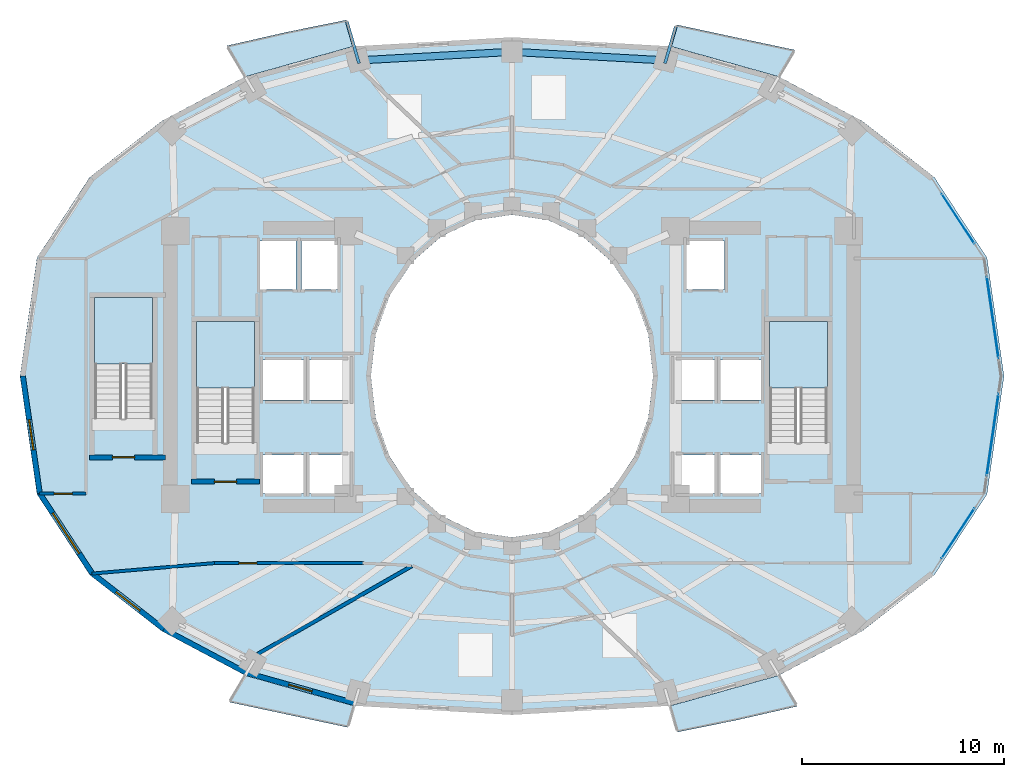
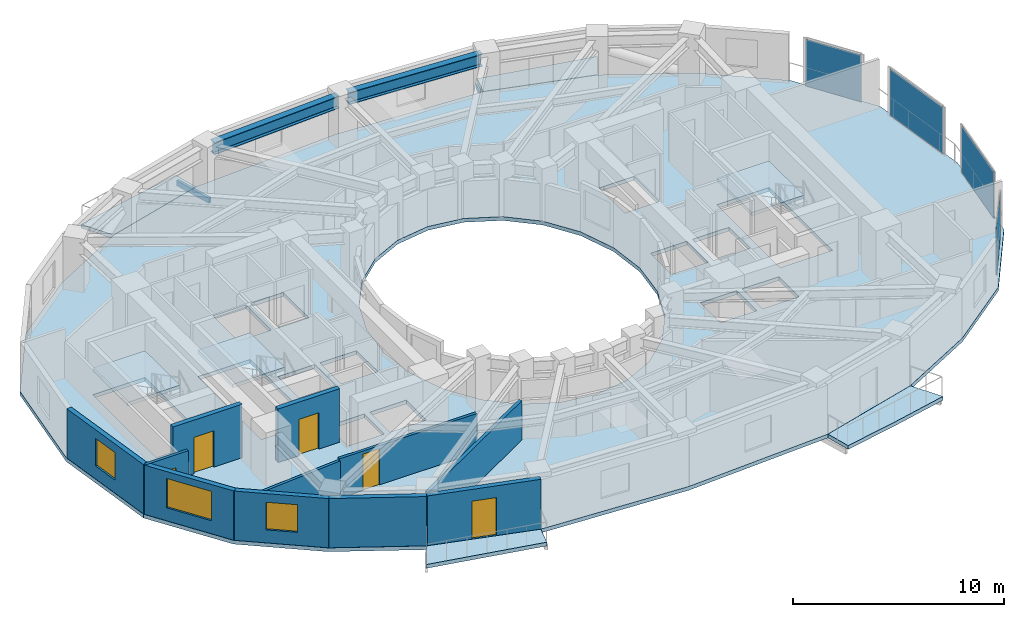
# One storey, part 6 of 14: 11 walls, 8 slabs, 5 doors, 4 beams, 4 plates, 3 windows, 8 openings, 7 elements without a shape of their own.
"""IFC4 building model written with IfcOpenShell, lengths in metres."""

import ifcopenshell
import ifcopenshell.guid

model = None  # the IFC model being written
_history = None  # IfcOwnerHistory: only IFC2X3 demands one
_inside = {}  # id of a spatial element -> (the spatial element, [elements in it])
_under = {}  # id of a project, library or spatial element -> (it, [spatial elements below it])
_declared = {}  # id of a project -> (the project, [libraries it declares])
_typed = {}  # id of a type object -> (the type object, [elements of that type])
_made_of = {}  # id of a material, layer set ... -> (it, [elements and type objects made of it])


def new_model(schema):
    """Start an empty IFC model of exactly this schema.

    Asked for "IFC4X3", IfcOpenShell would pick the latest addendum, in which some entities
    have other attributes; the version numbers below select the first issue.
    IFC2X3 requires an IfcOwnerHistory on every rooted entity: one is made here for all.
    """
    global model, _history
    if schema == "IFC4X3":
        model = ifcopenshell.file(schema_version=(4, 3, 0, 0))
    else:
        model = ifcopenshell.file(schema=schema)
    _inside.clear()
    _under.clear()
    _declared.clear()
    _typed.clear()
    _made_of.clear()
    _history = None
    if model.schema == "IFC2X3":
        org = make("IfcOrganization", Name="unknown")
        user = make(
            "IfcPersonAndOrganization",
            ThePerson=make("IfcPerson", FamilyName="unknown"),
            TheOrganization=org,
        )
        app = make(
            "IfcApplication",
            ApplicationDeveloper=org,
            Version="unknown",
            ApplicationFullName="unknown",
            ApplicationIdentifier="unknown",
        )
        _history = make(
            "IfcOwnerHistory",
            OwningUser=user,
            OwningApplication=app,
            ChangeAction="ADDED",
            CreationDate=0,
        )
    return model


def make(cls, **values):
    """One entity of the class cls with the attributes given. An attribute that is None is left unset."""
    return model.create_entity(
        cls, **{name: value for name, value in values.items() if value is not None}
    )


def rooted(cls, **values):
    """An entity with a GlobalId (a new one), such as an element, a storey or a relation."""
    return make(cls, GlobalId=ifcopenshell.guid.new(), OwnerHistory=_history, **values)


def si_unit(unit_type, name, prefix=None):
    """IfcSIUnit, for example si_unit("LENGTHUNIT", "METRE", prefix="MILLI")."""
    return make("IfcSIUnit", UnitType=unit_type, Prefix=prefix, Name=name)


def assignment(units):
    """IfcUnitAssignment: the units of a project."""
    return None if units is None else make("IfcUnitAssignment", Units=units)


def point(xyz):
    """IfcCartesianPoint."""
    return None if xyz is None else make("IfcCartesianPoint", Coordinates=xyz)


def direction(xyz):
    """IfcDirection."""
    return None if xyz is None else make("IfcDirection", DirectionRatios=xyz)


def frame(location, z_axis=None, x_axis=None):
    """IfcAxis2Placement3D, a coordinate frame: its origin and axes. An axis left out is left unset."""
    return make(
        "IfcAxis2Placement3D",
        Location=point(location),
        Axis=direction(z_axis),
        RefDirection=direction(x_axis),
    )


def frame_2d(location, x_axis=None):
    """IfcAxis2Placement2D, a coordinate frame in the plane: its origin and x axis."""
    return make(
        "IfcAxis2Placement2D", Location=point(location), RefDirection=direction(x_axis)
    )


def origin():
    """The frame at (0, 0, 0) with its axes left unset."""
    return frame((0.0, 0.0, 0.0))


def origin_2d():
    """The frame at (0, 0) in the plane with its x axis left unset."""
    return frame_2d((0.0, 0.0))


def place(relative_to, where):
    """IfcLocalPlacement: puts the frame where relative to a parent placement (None: the world)."""
    return make(
        "IfcLocalPlacement", PlacementRelTo=relative_to, RelativePlacement=where
    )


def context(
    kind, dimensions, precision=None, world=None, true_north=None, identifier=None
):
    """IfcGeometricRepresentationContext, for example the 3D "Model" context."""
    return make(
        "IfcGeometricRepresentationContext",
        ContextIdentifier=identifier,
        ContextType=kind,
        CoordinateSpaceDimension=dimensions,
        Precision=precision,
        WorldCoordinateSystem=world,
        TrueNorth=true_north,
    )


def subcontext(parent, identifier, kind, view, scale=None):
    """IfcGeometricRepresentationSubContext, for example "Body" below "Model"."""
    return make(
        "IfcGeometricRepresentationSubContext",
        ContextIdentifier=identifier,
        ContextType=kind,
        ParentContext=parent,
        TargetScale=scale,
        TargetView=view,
    )


def project(units=None, contexts=None):
    """IfcProject with its units and contexts."""
    return rooted(
        "IfcProject",
        Name="project",
        RepresentationContexts=contexts,
        UnitsInContext=assignment(units),
    )


def spatial(cls, under=None, at=None, **own):
    """A site, building, storey or space (cls), placed at a placement, below another one or the project."""
    s = rooted(cls, ObjectPlacement=at, **own)
    if under is not None:
        _under.setdefault(under.id(), (under, []))[1].append(s)
    return s


def polyline(points):
    """IfcPolyline through the points."""
    return make("IfcPolyline", Points=[point(p) for p in points])


def profile(cls, at=None, kind="AREA", **sizes):
    """A parametric profile (cls). Its sizes go by their IFC names, for example OverallWidth=200.0."""
    return make(cls, ProfileType=kind, Position=at, **sizes)


def rectangle(**sizes):
    """IfcRectangleProfileDef."""
    return profile("IfcRectangleProfileDef", **sizes)


def hollow_rectangle(**sizes):
    """IfcRectangleHollowProfileDef."""
    return profile("IfcRectangleHollowProfileDef", **sizes)


def i_section(**sizes):
    """IfcIShapeProfileDef."""
    return profile("IfcIShapeProfileDef", **sizes)


def outline(outer, holes=None, kind="AREA"):
    """IfcArbitraryClosedProfileDef: a profile drawn as a closed curve; with holes, ...WithVoids."""
    if holes is None:
        return make("IfcArbitraryClosedProfileDef", ProfileType=kind, OuterCurve=outer)
    return make(
        "IfcArbitraryProfileDefWithVoids",
        ProfileType=kind,
        OuterCurve=outer,
        InnerCurves=holes,
    )


def extrude(swept, where, along, depth):
    """IfcExtrudedAreaSolid: the profile swept, set in the frame where, extruded along a direction by depth."""
    return make(
        "IfcExtrudedAreaSolid",
        SweptArea=swept,
        Position=where,
        ExtrudedDirection=direction(along),
        Depth=depth,
    )


def shape(context_of_items, identifier, shape_type, items):
    """IfcShapeRepresentation: the items that make up one representation, for example the "Body"."""
    return make(
        "IfcShapeRepresentation",
        ContextOfItems=context_of_items,
        RepresentationIdentifier=identifier,
        RepresentationType=shape_type,
        Items=items,
    )


def material(Name=None, Category=None):
    """IfcMaterial."""
    return make("IfcMaterial", Name=Name, Category=Category)


def layer(
    of_material, thickness, ventilated=None, Name=None, Category=None, Priority=None
):
    """IfcMaterialLayer: one layer of a wall or slab, of a material (None: an air gap)."""
    return make(
        "IfcMaterialLayer",
        Material=of_material,
        LayerThickness=thickness,
        IsVentilated=ventilated,
        Name=Name,
        Category=Category,
        Priority=Priority,
    )


def layer_set(layers, Name=None):
    """IfcMaterialLayerSet."""
    return make("IfcMaterialLayerSet", MaterialLayers=layers, LayerSetName=Name)


def material_profile(
    of_material, cross_section, Name=None, Category=None, Priority=None
):
    """IfcMaterialProfile: a cross section and its material."""
    return make(
        "IfcMaterialProfile",
        Name=Name,
        Material=of_material,
        Profile=cross_section,
        Priority=Priority,
        Category=Category,
    )


def profile_set(profiles, Name=None, composite=None):
    """IfcMaterialProfileSet."""
    return make(
        "IfcMaterialProfileSet",
        Name=Name,
        MaterialProfiles=profiles,
        CompositeProfile=composite,
    )


def made_of(thing, what):
    """Note that an element or type object is made of a material, layer set ...; save() writes the relation."""
    if what is not None:
        _made_of.setdefault(what.id(), (what, []))[1].append(thing)
    return thing


def type_object(cls, material=None, **own):
    """A type object (cls), such as IfcWallType, which elements share."""
    return made_of(rooted(cls, **own), material)


def element(
    cls,
    number,
    at=None,
    inside=None,
    cuts=None,
    type_object=None,
    material=None,
    context=None,
    identifier="Body",
    shape_type=None,
    held_by="IfcProductDefinitionShape",
    body=None,
    shapes=None,
    **own,
):
    """One element of the class cls, such as IfcWall. Its Tag is "e" and its number.

    at: its placement. inside: the storey or other place that contains it. cuts: it is an
    opening in that element (IfcRelVoidsElement). A single representation is given by context,
    identifier, shape_type and body (its items); several are given by shapes. held_by: the class
    of the entity that holds the representations. save() writes the other relations.
    """
    e = rooted(cls, Tag="e%d" % number, ObjectPlacement=at, **own)
    if body is not None:
        shapes = [shape(context, identifier, shape_type, body)]
    if shapes is not None:
        e.Representation = make(held_by, Representations=shapes)
    if inside is not None:
        _inside.setdefault(inside.id(), (inside, []))[1].append(e)
    if cuts is not None:
        rooted(
            "IfcRelVoidsElement", RelatingBuildingElement=cuts, RelatedOpeningElement=e
        )
    if type_object is not None:
        _typed.setdefault(type_object.id(), (type_object, []))[1].append(e)
    return made_of(e, material)


def fill(opening, filler):
    """IfcRelFillsElement: the door or window that sits in an opening."""
    return rooted(
        "IfcRelFillsElement",
        RelatingOpeningElement=opening,
        RelatedBuildingElement=filler,
    )


def aggregate(whole, parts):
    """IfcRelAggregates: a whole, such as a stair, and the parts it consists of."""
    return rooted("IfcRelAggregates", RelatingObject=whole, RelatedObjects=parts)


def save(model, path):
    """Write the relations noted so far, then the file.

    IfcRelAggregates (storeys below a building ...), IfcRelContainedInSpatialStructure (elements
    in a storey), IfcRelDefinesByType, IfcRelAssociatesMaterial and IfcRelDeclares: one each for
    every whole, place, type object, material and project.
    """
    for whole, parts in _under.values():
        aggregate(whole, parts)
    for where, things in _inside.values():
        rooted(
            "IfcRelContainedInSpatialStructure",
            RelatedElements=things,
            RelatingStructure=where,
        )
    for kind, things in _typed.values():
        rooted("IfcRelDefinesByType", RelatedObjects=things, RelatingType=kind)
    for what, things in _made_of.values():
        rooted("IfcRelAssociatesMaterial", RelatedObjects=things, RelatingMaterial=what)
    for by, libraries in _declared.values():
        rooted("IfcRelDeclares", RelatingContext=by, RelatedDefinitions=libraries)
    model.write(path)


model = new_model("IFC4")

# Units and contexts
model_context = context("Model", 3, precision=1e-05, world=origin(), true_north=direction((0.0, 1.0)))
body_context = subcontext(model_context, "Body", "Model", "MODEL_VIEW")
ifc_project = project(units=[si_unit("LENGTHUNIT", "METRE"), si_unit("AREAUNIT", "SQUARE_METRE"), si_unit("VOLUMEUNIT", "CUBIC_METRE"), si_unit("PLANEANGLEUNIT", "RADIAN"), si_unit("MASSUNIT", "GRAM", prefix="KILO")], contexts=[model_context])

# Site, building, storey
site_placement = place(None, origin())
site = spatial("IfcSite", under=ifc_project, at=site_placement, CompositionType="ELEMENT")
building_placement = place(site_placement, origin())
building = spatial("IfcBuilding", under=site, at=building_placement, Name="Solvane Sanctuary Tower", CompositionType="ELEMENT")
storey_placement = place(building_placement, frame((0.0, 0.0, 88.699951171875)))
storey = spatial("IfcBuildingStorey", under=building, at=storey_placement, Name="L26", CompositionType="ELEMENT", Elevation=88.699951171875)

# Beams
ifc_material_1 = material(Name="Steel ASTM A500 Grade C", Category="steel")
ifc_material_profile_1 = material_profile(ifc_material_1, hollow_rectangle(XDim=0.14990234375, YDim=0.300048828125, WallThickness=0.010009765625, at=origin_2d()), Name="HSS300X150X10")
ifc_profile_set_1 = profile_set([ifc_material_profile_1], Name="Steel ASTM A500 Grade C")
beam_type_1 = type_object("IfcBeamType", Name="Beam B-BALC-BRK HSS300X150X10", PredefinedType="BEAM", material=ifc_profile_set_1)
beam_1_placement = place(storey_placement, frame((39.587158203125, 38.50830078125, -0.3720703125), z_axis=(0.281748382334, 0.959488326689, 0.0), x_axis=(-0.959488326689, 0.281748382334, 0.0)))
element("IfcBeam", 1, at=beam_1_placement, inside=storey, type_object=beam_type_1, Name="L26 Balcony Bracket N1-2", PredefinedType="BEAM", context=body_context, shape_type="SweptSolid", body=[
    extrude(hollow_rectangle(XDim=0.14990234375, YDim=0.300048828125, WallThickness=0.010009765625, at=origin_2d()), origin(), (0.0, 0.0, 1.0), 1.897705078125),
])
beam_2_placement = place(storey_placement, frame((24.41259765625, 38.508056640625, -0.3720703125), z_axis=(-0.279241508215, 0.960220901715, 0.0), x_axis=(-0.960220901715, -0.279241508215, 0.0)))
element("IfcBeam", 2, at=beam_2_placement, inside=storey, type_object=beam_type_1, Name="L26 Balcony Bracket N2-1", PredefinedType="BEAM", context=body_context, shape_type="SweptSolid", body=[
    extrude(hollow_rectangle(XDim=0.14990234375, YDim=0.300048828125, WallThickness=0.010009765625, at=origin_2d()), origin(), (0.0, 0.0, 1.0), 2.138427734375),
])
ifc_material_2 = material(Name="Steel ASTM A992 Grade 50", Category="steel")
ifc_material_profile_2 = material_profile(ifc_material_2, i_section(OverallWidth=0.35791015625, OverallDepth=0.7060546875, WebThickness=0.018310546875, FlangeThickness=0.0302734375, FilletRadius=0.01806640625, at=origin_2d()), Name="W27X178")
ifc_profile_set_2 = profile_set([ifc_material_profile_2], Name="Steel ASTM A992 Grade 50")
beam_type_2 = type_object("IfcBeamType", Name="Beam B-SPAND-Z2 W27X178", PredefinedType="SPANDREL", material=ifc_profile_set_2)
for number, where, z_axis, x_axis, name in (
    (3, (24.650146484375, 38.667724609375, 2.525146484375), (0.998431364179, 0.055989383129, 0.0), (-0.055989383129, 0.998431364179, 0.0), "L26 Perimeter Spandrel Beam TC05-TC04"),
    (4, (32.279541015625, 39.064208984375, 2.525146484375), (0.998431364179, -0.055989383129, 0.0), (0.055989383129, 0.998431364179, 0.0), "L26 Perimeter Spandrel Beam TC04-TC03"),
):
    element("IfcBeam", number, at=place(storey_placement, frame(where, z_axis=z_axis, x_axis=x_axis)), inside=storey, type_object=beam_type_2, Name=name, PredefinedType="SPANDREL", context=body_context, shape_type="SweptSolid", body=[
        extrude(i_section(OverallWidth=0.35791015625, OverallDepth=0.7060546875, WebThickness=0.018310546875, FlangeThickness=0.0302734375, FilletRadius=0.01806640625, at=origin_2d()), origin(), (0.0, 0.0, 1.0), 7.081298828125),
    ])

# Curtain wall, plate
ifc_material_3 = material(Name="Anodised Aluminium 6063-T6", Category="aluminium")
ifc_layer_1 = layer(ifc_material_3, 0.2099609375, Name="Anodised Aluminium 6063-T6")
ifc_layer_set_1 = layer_set([ifc_layer_1], Name="Anodised Aluminium 6063-T6")
curtain_wall_type = type_object("IfcCurtainWallType", Name="Curtain Wall CW-PORTAL", PredefinedType="NOTDEFINED", material=ifc_layer_set_1)
curtain_wall_1_placement = place(storey_placement, origin())
curtain_wall_1 = element("IfcCurtainWall", 5, at=curtain_wall_1_placement, inside=storey, type_object=curtain_wall_type, Name="L26 CW-PORTAL Facade Run 00", PredefinedType="NOTDEFINED")
ifc_material_4 = material(Name="Dark Ceramic-Fritted Low-E Glass", Category="glass")
ifc_layer_2 = layer(ifc_material_4, 0.031982421875, Name="Dark Ceramic-Fritted Low-E Glass")
ifc_layer_set_2 = layer_set([ifc_layer_2], Name="Dark Ceramic-Fritted Low-E Glass")
plate_type = type_object("IfcPlateType", Name="Plate PN-FRIT-VIS", PredefinedType="CURTAIN_PANEL", material=ifc_layer_set_2)
plate_1_placement = place(storey_placement, frame((55.8408203125, 25.909423828125, 0.065185546875), z_axis=(0.0, 0.0, 1.0), x_axis=(-0.142587151113, 0.989782250971, 0.0)))
plate_1 = element("IfcPlate", 6, at=plate_1_placement, type_object=plate_type, Name="CW-PORTAL panel 1.1", PredefinedType="CURTAIN_PANEL", context=body_context, shape_type="SweptSolid", body=[
    extrude(rectangle(XDim=4.0888671875, YDim=0.031982421875, at=origin_2d()), origin(), (0.0, 0.0, 1.0), 2.7099609375),
])
aggregate(curtain_wall_1, [plate_1])

curtain_wall_2_placement = place(storey_placement, origin())
curtain_wall_2 = element("IfcCurtainWall", 7, at=curtain_wall_2_placement, inside=storey, type_object=curtain_wall_type, Name="L26 CW-PORTAL Facade Run 01", PredefinedType="NOTDEFINED")
plate_2_placement = place(storey_placement, frame((54.12109375, 30.802490234375, 0.065185546875), z_axis=(0.0, 0.0, 1.0), x_axis=(-0.548275714249, 0.8362976391, 0.0)))
plate_2 = element("IfcPlate", 8, at=plate_2_placement, type_object=plate_type, Name="CW-PORTAL panel 1.1", PredefinedType="CURTAIN_PANEL", context=body_context, shape_type="SweptSolid", body=[
    extrude(rectangle(XDim=2.954345703125, YDim=0.031982421875, at=origin_2d()), origin(), (0.0, 0.0, 1.0), 2.7099609375),
])
aggregate(curtain_wall_2, [plate_2])

curtain_wall_3_placement = place(storey_placement, origin())
curtain_wall_3 = element("IfcCurtainWall", 9, at=curtain_wall_3_placement, inside=storey, type_object=curtain_wall_type, Name="L26 CW-PORTAL Facade Run 22", PredefinedType="NOTDEFINED")
plate_3_placement = place(storey_placement, frame((54.12109375, 15.197509765625, 0.065185546875), z_axis=(0.0, 0.0, 1.0), x_axis=(0.548275714249, 0.8362976391, 0.0)))
plate_3 = element("IfcPlate", 10, at=plate_3_placement, type_object=plate_type, Name="CW-PORTAL panel 1.1", PredefinedType="CURTAIN_PANEL", context=body_context, shape_type="SweptSolid", body=[
    extrude(rectangle(XDim=2.954345703125, YDim=0.031982421875, at=origin_2d()), origin(), (0.0, 0.0, 1.0), 2.7099609375),
])
aggregate(curtain_wall_3, [plate_3])

curtain_wall_4_placement = place(storey_placement, origin())
curtain_wall_4 = element("IfcCurtainWall", 11, at=curtain_wall_4_placement, inside=storey, type_object=curtain_wall_type, Name="L26 CW-PORTAL Facade Run 23", PredefinedType="NOTDEFINED")
plate_4_placement = place(storey_placement, frame((55.8408203125, 20.090576171875, 0.065185546875), z_axis=(0.0, 0.0, 1.0), x_axis=(0.142587151113, 0.989782250971, 0.0)))
plate_4 = element("IfcPlate", 12, at=plate_4_placement, type_object=plate_type, Name="CW-PORTAL panel 1.1", PredefinedType="CURTAIN_PANEL", context=body_context, shape_type="SweptSolid", body=[
    extrude(rectangle(XDim=4.0888671875, YDim=0.031982421875, at=origin_2d()), origin(), (0.0, 0.0, 1.0), 2.7099609375),
])
aggregate(curtain_wall_4, [plate_4])

# Slabs
ifc_material_5 = material(Name="Precast concrete C40/50", Category="concrete")
ifc_layer_3 = layer(ifc_material_5, 0.219970703125, Name="Precast concrete C40/50")
ifc_layer_set_3 = layer_set([ifc_layer_3], Name="Precast concrete C40/50")
slab_type_1 = type_object("IfcSlabType", Name="Slab SL-BALC-200", PredefinedType="FLOOR", material=ifc_layer_set_3)
slab_1_placement = place(storey_placement, frame((0.0, 0.0, -0.219970703125)))
element("IfcSlab", 13, at=slab_1_placement, inside=storey, type_object=slab_type_1, Name="L26 Wave Balcony Slab N1", PredefinedType="FLOOR", context=body_context, shape_type="SweptSolid", body=[
    extrude(outline(polyline([(46.02099609375, 39.172119140625), (43.05712890625, 39.802490234375), (40.150146484375, 40.4248046875), (39.862548828125, 39.351318359375), (45.25048828125, 37.83935546875), (46.02099609375, 39.172119140625)])), origin(), (0.0, 0.0, 1.0), 0.219970703125),
])
slab_2_placement = place(storey_placement, frame((0.0, 0.0, -0.219970703125)))
element("IfcSlab", 14, at=slab_2_placement, inside=storey, type_object=slab_type_1, Name="L26 Wave Balcony Slab N2", PredefinedType="FLOOR", context=body_context, shape_type="SweptSolid", body=[
    extrude(outline(polyline([(23.78759765625, 40.657470703125), (20.83642578125, 40.059326171875), (17.8583984375, 39.380615234375), (18.74951171875, 37.83935546875), (24.137451171875, 39.351318359375), (23.78759765625, 40.657470703125)])), origin(), (0.0, 0.0, 1.0), 0.219970703125),
])
slab_3_placement = place(storey_placement, frame((0.0, 0.0, -0.219970703125)))
element("IfcSlab", 15, at=slab_3_placement, inside=storey, type_object=slab_type_1, Name="L26 Wave Balcony Slab S1", PredefinedType="FLOOR", context=body_context, shape_type="SweptSolid", body=[
    extrude(outline(polyline([(17.97900390625, 6.827880859375), (20.94287109375, 6.197509765625), (23.849853515625, 5.5751953125), (24.137451171875, 6.648681640625), (18.74951171875, 8.16064453125), (17.97900390625, 6.827880859375)])), origin(), (0.0, 0.0, 1.0), 0.219970703125),
])
slab_4_placement = place(storey_placement, frame((0.0, 0.0, -0.219970703125)))
element("IfcSlab", 16, at=slab_4_placement, inside=storey, type_object=slab_type_1, Name="L26 Wave Balcony Slab S2", PredefinedType="FLOOR", context=body_context, shape_type="SweptSolid", body=[
    extrude(outline(polyline([(40.21240234375, 5.342529296875), (43.16357421875, 5.9404296875), (46.1416015625, 6.619384765625), (45.25048828125, 8.16064453125), (39.862548828125, 6.648681640625), (40.21240234375, 5.342529296875)])), origin(), (0.0, 0.0, 1.0), 0.219970703125),
])

# Stair, slab
ifc_material_6 = material(Name="Concrete C45/55", Category="concrete")
stair_type = type_object("IfcStairType", Name="Stair ST-TOW", PredefinedType="HALF_TURN_STAIR", material=ifc_material_6)
stair_1_placement = place(storey_placement, origin())
stair_1 = element("IfcStair", 17, at=stair_1_placement, inside=storey, type_object=stair_type, Name="L26 Exit Stair ST-1 West Core", PredefinedType="HALF_TURN_STAIR")
ifc_layer_4 = layer(ifc_material_6, 0.199951171875, Name="Concrete C45/55")
ifc_layer_set_4 = layer_set([ifc_layer_4], Name="Concrete C45/55")
slab_type_2 = type_object("IfcSlabType", Name="Slab SL-LAND-180", PredefinedType="LANDING", material=ifc_layer_set_4)
slab_5_placement = place(storey_placement, frame((0.0, 0.0, 1.35009765625)))
slab_5 = element("IfcSlab", 18, at=slab_5_placement, type_object=slab_type_2, Name="ST-1 landing 1", PredefinedType="LANDING", context=body_context, shape_type="SweptSolid", body=[
    extrude(outline(polyline([(19.219970703125, 22.39990234375), (19.219970703125, 25.699951171875), (16.360107421875, 25.699951171875), (16.360107421875, 22.39990234375), (19.219970703125, 22.39990234375)])), origin(), (0.0, 0.0, 1.0), 0.199951171875),
])
aggregate(stair_1, [slab_5])

stair_2_placement = place(storey_placement, origin())
stair_2 = element("IfcStair", 19, at=stair_2_placement, inside=storey, type_object=stair_type, Name="L26 Exit Stair ST-2 East Core", PredefinedType="HALF_TURN_STAIR")
slab_6_placement = place(storey_placement, frame((0.0, 0.0, 1.35009765625)))
slab_6 = element("IfcSlab", 20, at=slab_6_placement, type_object=slab_type_2, Name="ST-2 landing 1", PredefinedType="LANDING", context=body_context, shape_type="SweptSolid", body=[
    extrude(outline(polyline([(47.639892578125, 22.39990234375), (47.639892578125, 25.699951171875), (44.780029296875, 25.699951171875), (44.780029296875, 22.39990234375), (47.639892578125, 22.39990234375)])), origin(), (0.0, 0.0, 1.0), 0.199951171875),
])
aggregate(stair_2, [slab_6])

stair_3_placement = place(storey_placement, origin())
stair_3 = element("IfcStair", 21, at=stair_3_placement, inside=storey, type_object=stair_type, Name="L26 Exit Stair ST-3 Pilgrim Tower Stair", PredefinedType="HALF_TURN_STAIR")
slab_7_placement = place(storey_placement, frame((0.0, 0.0, 1.35009765625)))
slab_7 = element("IfcSlab", 22, at=slab_7_placement, type_object=slab_type_2, Name="ST-3 landing 1", PredefinedType="LANDING", context=body_context, shape_type="SweptSolid", body=[
    extrude(outline(polyline([(14.159912109375, 23.60009765625), (14.159912109375, 26.89990234375), (11.300048828125, 26.89990234375), (11.300048828125, 23.60009765625), (14.159912109375, 23.60009765625)])), origin(), (0.0, 0.0, 1.0), 0.199951171875),
])
aggregate(stair_3, [slab_7])

# Slab
ifc_layer_5 = layer(ifc_material_6, 0.219970703125, Name="Concrete C45/55")
ifc_layer_set_5 = layer_set([ifc_layer_5], Name="Concrete C45/55")
slab_type_3 = type_object("IfcSlabType", Name="Slab SL-TOW-220", PredefinedType="FLOOR", material=ifc_layer_set_5)
slab_8_placement = place(storey_placement, frame((0.0, 0.0, -0.219970703125)))
element("IfcSlab", 23, at=slab_8_placement, inside=storey, type_object=slab_type_3, Name="L26 Primary Structural Slab", PredefinedType="FLOOR", context=body_context, shape_type="SweptSolid", body=[
    extrude(outline(polyline([(56.39990234375, 23.0), (55.556884765625, 28.86376953125), (52.94091796875, 32.8623046875), (49.365478515625, 35.650390625), (45.249267578125, 37.83544921875), (39.861328125, 39.347412109375), (32.0, 39.800048828125), (24.138671875, 39.347412109375), (18.750732421875, 37.83544921875), (14.634521484375, 35.650390625), (11.05908203125, 32.8623046875), (8.443115234375, 28.86376953125), (7.60009765625, 23.0), (8.443115234375, 17.13623046875), (11.05908203125, 13.1376953125), (14.634521484375, 10.349609375), (18.750732421875, 8.16455078125), (24.138671875, 6.652587890625), (32.0, 6.199951171875), (39.861328125, 6.652587890625), (45.249267578125, 8.16455078125), (49.365478515625, 10.349609375), (52.94091796875, 13.1376953125), (55.556884765625, 17.13623046875), (56.39990234375, 23.0)]), holes=[polyline([(38.761474609375, 20.929443359375), (38.062255859375, 19.0), (36.94970703125, 17.343017578125), (35.5, 16.07177734375), (33.811767578125, 15.272705078125), (32.0, 15.0), (30.188232421875, 15.272705078125), (28.5, 16.07177734375), (27.05029296875, 17.343017578125), (25.937744140625, 19.0), (25.238525390625, 20.929443359375), (25.0, 23.0), (25.238525390625, 25.070556640625), (25.937744140625, 27.0), (27.05029296875, 28.656982421875), (28.5, 29.92822265625), (30.188232421875, 30.727294921875), (32.0, 31.0), (33.811767578125, 30.727294921875), (35.5, 29.92822265625), (36.94970703125, 28.656982421875), (38.062255859375, 27.0), (38.761474609375, 25.070556640625), (39.0, 23.0), (38.761474609375, 20.929443359375)]), polyline([(16.360107421875, 19.699951171875), (16.360107421875, 25.699951171875), (19.219970703125, 25.699951171875), (19.219970703125, 19.699951171875), (16.360107421875, 19.699951171875)]), polyline([(44.780029296875, 19.699951171875), (44.780029296875, 25.699951171875), (47.639892578125, 25.699951171875), (47.639892578125, 19.699951171875), (44.780029296875, 19.699951171875)]), polyline([(11.300048828125, 20.89990234375), (11.300048828125, 26.89990234375), (14.159912109375, 26.89990234375), (14.159912109375, 20.89990234375), (11.300048828125, 20.89990234375)]), polyline([(19.64990234375, 19.080078125), (21.64990234375, 19.080078125), (21.64990234375, 17.179931640625), (19.64990234375, 17.179931640625), (19.64990234375, 19.080078125)]), polyline([(21.949951171875, 19.080078125), (23.949951171875, 19.080078125), (23.949951171875, 17.179931640625), (21.949951171875, 17.179931640625), (21.949951171875, 19.080078125)]), polyline([(40.050048828125, 19.080078125), (42.050048828125, 19.080078125), (42.050048828125, 17.179931640625), (40.050048828125, 17.179931640625), (40.050048828125, 19.080078125)]), polyline([(42.35009765625, 19.080078125), (44.35009765625, 19.080078125), (44.35009765625, 17.179931640625), (42.35009765625, 17.179931640625), (42.35009765625, 19.080078125)]), polyline([(19.64990234375, 23.800048828125), (21.64990234375, 23.800048828125), (21.64990234375, 21.800048828125), (19.64990234375, 21.800048828125), (19.64990234375, 23.800048828125)]), polyline([(42.35009765625, 23.800048828125), (44.35009765625, 23.800048828125), (44.35009765625, 21.800048828125), (42.35009765625, 21.800048828125), (42.35009765625, 23.800048828125)]), polyline([(21.949951171875, 23.800048828125), (23.949951171875, 23.800048828125), (23.949951171875, 21.800048828125), (21.949951171875, 21.800048828125), (21.949951171875, 23.800048828125)]), polyline([(40.050048828125, 23.800048828125), (42.050048828125, 23.800048828125), (42.050048828125, 21.800048828125), (40.050048828125, 21.800048828125), (40.050048828125, 23.800048828125)]), polyline([(19.5, 29.699951171875), (21.300048828125, 29.699951171875), (21.300048828125, 27.300048828125), (19.5, 27.300048828125), (19.5, 29.699951171875)]), polyline([(21.550048828125, 29.699951171875), (23.35009765625, 29.699951171875), (23.35009765625, 27.300048828125), (21.550048828125, 27.300048828125), (21.550048828125, 29.699951171875)]), polyline([(40.64990234375, 29.699951171875), (42.550048828125, 29.699951171875), (42.550048828125, 27.300048828125), (40.64990234375, 27.300048828125), (40.64990234375, 29.699951171875)])]), origin(), (0.0, 0.0, 1.0), 0.219970703125),
])

# Wall, opening, door
ifc_material_7 = material(Name="Acoustic Gypsum Partition Board")
ifc_layer_6 = layer(ifc_material_7, 0.14990234375, Name="Acoustic Gypsum Partition Board")
ifc_layer_set_6 = layer_set([ifc_layer_6], Name="Acoustic Gypsum Partition Board")
wall_type_1 = type_object("IfcWallType", Name="Wall W-CORR-150", PredefinedType="PARTITIONING", material=ifc_layer_set_6)
wall_1_placement = place(storey_placement, frame((8.558349609375, 17.1748046875, 0.0), z_axis=(0.0, 0.0, 1.0), x_axis=(1.0, 0.0, 0.0)))
wall_1 = element("IfcWall", 24, at=wall_1_placement, inside=storey, type_object=wall_type_1, Name="L26 West Shoulder South Wall", PredefinedType="PARTITIONING", context=body_context, shape_type="SweptSolid", body=[
    extrude(rectangle(XDim=2.321533203125, YDim=0.14990234375, at=frame_2d((1.16064453125, 0.0))), origin(), (0.0, 0.0, 1.0), 2.85498046875),
])
opening_1_placement = place(wall_1_placement, frame((0.739013671875, 0.0, 0.0)))
opening_1 = element("IfcOpeningElement", 25, at=opening_1_placement, cuts=wall_1, Name="Opening D-L26-15", PredefinedType="OPENING", context=body_context, shape_type="SweptSolid", body=[
    extrude(rectangle(XDim=0.89990234375, YDim=2.10009765625, at=frame_2d((0.449951171875, 1.050048828125))), frame((0.0, 0.0849609375, 0.0), z_axis=(0.0, -1.0, 0.0), x_axis=(1.0, 0.0, 0.0)), (0.0, 0.0, 1.0), 0.169921875),
])
ifc_material_8 = material(Name="Engineered Tropical Hardwood", Category="wood")
door_type_1 = type_object("IfcDoorType", Name="Door D-WET-900", OperationType="NOTDEFINED", PredefinedType="DOOR", material=ifc_material_8)
door_1_placement = place(opening_1_placement, origin())
door_1 = element("IfcDoor", 26, at=door_1_placement, inside=storey, type_object=door_type_1, Name="L26 West Shoulder South Door", OperationType="SINGLE_SWING_RIGHT", OverallHeight=2.10009765625, OverallWidth=0.89990234375, PredefinedType="DOOR", context=body_context, shape_type="SweptSolid", body=[
    extrude(rectangle(XDim=0.89990234375, YDim=2.10009765625, at=frame_2d((0.449951171875, 1.050048828125))), frame((0.0, 0.02490234375, 0.0), z_axis=(0.0, -1.0, 0.0), x_axis=(1.0, 0.0, 0.0)), (0.0, 0.0, 1.0), 0.050048828125),
])
fill(opening_1, door_1)

wall_2_placement = place(storey_placement, frame((17.14990234375, 13.719970703125, 0.0), z_axis=(0.0, 0.0, 1.0), x_axis=(1.0, 0.0, 0.0)))
wall_2 = element("IfcWall", 27, at=wall_2_placement, inside=storey, type_object=wall_type_1, Name="L26 SW Corner Corridor Wall", PredefinedType="PARTITIONING", context=body_context, shape_type="SweptSolid", body=[
    extrude(rectangle(XDim=7.52001953125, YDim=0.14990234375, at=frame_2d((3.760009765625, 0.0))), origin(), (0.0, 0.0, 1.0), 2.27197265625),
])
opening_2_placement = place(wall_2_placement, frame((1.300048828125, 0.0, 0.0)))
opening_2 = element("IfcOpeningElement", 28, at=opening_2_placement, cuts=wall_2, Name="Opening D-L26-18", PredefinedType="OPENING", context=body_context, shape_type="SweptSolid", body=[
    extrude(rectangle(XDim=0.89990234375, YDim=2.10009765625, at=frame_2d((0.449951171875, 1.050048828125))), frame((0.0, 0.0849609375, 0.0), z_axis=(0.0, -1.0, 0.0), x_axis=(1.0, 0.0, 0.0)), (0.0, 0.0, 1.0), 0.169921875),
])
door_2_placement = place(opening_2_placement, origin())
door_2 = element("IfcDoor", 29, at=door_2_placement, inside=storey, type_object=door_type_1, Name="L26 SW Corner Salon Door", OperationType="SINGLE_SWING_LEFT", OverallHeight=2.10009765625, OverallWidth=0.89990234375, PredefinedType="DOOR", context=body_context, shape_type="SweptSolid", body=[
    extrude(rectangle(XDim=0.89990234375, YDim=2.10009765625, at=frame_2d((0.449951171875, 1.050048828125))), frame((0.0, 0.02490234375, 0.0), z_axis=(0.0, -1.0, 0.0), x_axis=(1.0, 0.0, 0.0)), (0.0, 0.0, 1.0), 0.050048828125),
])
fill(opening_2, door_2)

# Wall
wall_3_placement = place(storey_placement, frame((17.249755859375, 13.724365234375, 0.0), z_axis=(0.0, 0.0, 1.0), x_axis=(-0.996341886029, -0.085456691633, 0.0)))
element("IfcWall", 30, at=wall_3_placement, inside=storey, type_object=wall_type_1, Name="L26 SW Corner Wing Wall", PredefinedType="PARTITIONING", context=body_context, shape_type="SweptSolid", body=[
    extrude(rectangle(XDim=6.108154296875, YDim=0.14990234375, at=frame_2d((3.05419921875, 0.0))), origin(), (0.0, 0.0, 1.0), 2.14208984375),
])

# Wall, opening, window
ifc_layer_7 = layer(ifc_material_5, 0.260009765625, Name="Precast concrete C40/50")
ifc_layer_set_7 = layer_set([ifc_layer_7], Name="Precast concrete C40/50")
wall_type_2 = type_object("IfcWallType", Name="Wall W-EXT-250", PredefinedType="STANDARD", material=ifc_layer_set_7)
wall_4_placement = place(storey_placement, frame((7.739990234375, 23.0, 0.0), z_axis=(0.0, 0.0, 1.0), x_axis=(0.142572472068, -0.98978436551, 0.0)))
wall_4 = element("IfcWall", 31, at=wall_4_placement, inside=storey, type_object=wall_type_2, Name="L26 Ceramic-Printed Facade Wall 12", PredefinedType="STANDARD", context=body_context, shape_type="SweptSolid", body=[
    extrude(rectangle(XDim=5.878662109375, YDim=0.260009765625, at=frame_2d((2.939453125, 0.0))), origin(), (0.0, 0.0, 1.0), 2.85009765625),
])
opening_3_placement = place(wall_4_placement, frame((2.189453125, 0.0, 0.75)))
opening_3 = element("IfcOpeningElement", 32, at=opening_3_placement, cuts=wall_4, Name="Opening WN-OPER-1500", PredefinedType="OPENING", context=body_context, shape_type="SweptSolid", body=[
    extrude(rectangle(XDim=1.5, YDim=1.60009765625, at=frame_2d((0.75, 0.800048828125))), frame((0.0, 0.139892578125, 0.0), z_axis=(0.0, -1.0, 0.0), x_axis=(1.0, 0.0, 0.0)), (0.0, 0.0, 1.0), 0.280029296875),
])
window_type_1 = type_object("IfcWindowType", Name="Window WN-OPER-1500", PartitioningType="SINGLE_PANEL", PredefinedType="WINDOW", material=ifc_material_4)
window_1_placement = place(opening_3_placement, origin())
window_1 = element("IfcWindow", 33, at=window_1_placement, inside=storey, type_object=window_type_1, Name="L26 Operable Facade Window 12", OverallHeight=1.60009765625, OverallWidth=1.5, PartitioningType="SINGLE_PANEL", PredefinedType="WINDOW", context=body_context, shape_type="SweptSolid", body=[
    extrude(rectangle(XDim=1.5, YDim=1.60009765625, at=frame_2d((0.75, 0.800048828125))), frame((0.0, 0.030029296875, 0.0), z_axis=(0.0, -1.0, 0.0), x_axis=(1.0, 0.0, 0.0)), (0.0, 0.0, 1.0), 0.06005859375),
])
fill(opening_3, window_1)

wall_5_placement = place(storey_placement, frame((8.578125, 17.181396484375, 0.0), z_axis=(0.0, 0.0, 1.0), x_axis=(0.548283220945, -0.836292717672, 0.0)))
wall_5 = element("IfcWall", 34, at=wall_5_placement, inside=storey, type_object=wall_type_2, Name="L26 Ceramic-Printed Facade Wall 13", PredefinedType="STANDARD", context=body_context, shape_type="SweptSolid", body=[
    extrude(rectangle(XDim=4.744384765625, YDim=0.260009765625, at=frame_2d((2.3720703125, 0.0))), origin(), (0.0, 0.0, 1.0), 2.85009765625),
])
opening_4_placement = place(wall_5_placement, frame((1.172119140625, 0.0, 0.75)))
opening_4 = element("IfcOpeningElement", 35, at=opening_4_placement, cuts=wall_5, Name="Opening WN-RIB-2400", PredefinedType="OPENING", context=body_context, shape_type="SweptSolid", body=[
    extrude(rectangle(XDim=2.39990234375, YDim=1.699951171875, at=frame_2d((1.199951171875, 0.85009765625))), frame((0.0, 0.139892578125, 0.0), z_axis=(0.0, -1.0, 0.0), x_axis=(1.0, 0.0, 0.0)), (0.0, 0.0, 1.0), 0.280029296875),
])
window_type_2 = type_object("IfcWindowType", Name="Window WN-RIB-2400", PartitioningType="SINGLE_PANEL", PredefinedType="WINDOW", material=ifc_material_4)
window_2_placement = place(opening_4_placement, origin())
window_2 = element("IfcWindow", 36, at=window_2_placement, inside=storey, type_object=window_type_2, Name="L26 Operable Facade Window 13", OverallHeight=1.699951171875, OverallWidth=2.39990234375, PartitioningType="SINGLE_PANEL", PredefinedType="WINDOW", context=body_context, shape_type="SweptSolid", body=[
    extrude(rectangle(XDim=2.39990234375, YDim=1.699951171875, at=frame_2d((1.199951171875, 0.85009765625))), frame((0.0, 0.030029296875, 0.0), z_axis=(0.0, -1.0, 0.0), x_axis=(1.0, 0.0, 0.0)), (0.0, 0.0, 1.0), 0.06005859375),
])
fill(opening_4, window_2)

wall_6_placement = place(storey_placement, frame((11.179443359375, 13.213623046875, 0.0), z_axis=(0.0, 0.0, 1.0), x_axis=(0.789127449954, -0.614229491094, 0.0)))
wall_6 = element("IfcWall", 37, at=wall_6_placement, inside=storey, type_object=wall_type_2, Name="L26 Ceramic-Printed Facade Wall 14", PredefinedType="STANDARD", context=body_context, shape_type="SweptSolid", body=[
    extrude(rectangle(XDim=4.504638671875, YDim=0.260009765625, at=frame_2d((2.25244140625, 0.0))), origin(), (0.0, 0.0, 1.0), 2.85009765625),
])
opening_5_placement = place(wall_6_placement, frame((1.502197265625, 0.0, 0.75)))
opening_5 = element("IfcOpeningElement", 38, at=opening_5_placement, cuts=wall_6, Name="Opening WN-OPER-1500", PredefinedType="OPENING", context=body_context, shape_type="SweptSolid", body=[
    extrude(rectangle(XDim=1.5, YDim=1.60009765625, at=frame_2d((0.75, 0.800048828125))), frame((0.0, 0.139892578125, 0.0), z_axis=(0.0, -1.0, 0.0), x_axis=(1.0, 0.0, 0.0)), (0.0, 0.0, 1.0), 0.280029296875),
])
window_3_placement = place(opening_5_placement, origin())
window_3 = element("IfcWindow", 39, at=window_3_placement, inside=storey, type_object=window_type_1, Name="L26 Operable Facade Window 14", OverallHeight=1.60009765625, OverallWidth=1.5, PartitioningType="SINGLE_PANEL", PredefinedType="WINDOW", context=body_context, shape_type="SweptSolid", body=[
    extrude(rectangle(XDim=1.5, YDim=1.60009765625, at=frame_2d((0.75, 0.800048828125))), frame((0.0, 0.030029296875, 0.0), z_axis=(0.0, -1.0, 0.0), x_axis=(1.0, 0.0, 0.0)), (0.0, 0.0, 1.0), 0.06005859375),
])
fill(opening_5, window_3)

# Wall
wall_7_placement = place(storey_placement, frame((14.734130859375, 10.44677734375, 0.0), z_axis=(0.0, 0.0, 1.0), x_axis=(0.883668636807, -0.4681129568, 0.0)))
element("IfcWall", 40, at=wall_7_placement, inside=storey, type_object=wall_type_2, Name="L26 Ceramic-Printed Facade Wall 15", PredefinedType="STANDARD", context=body_context, shape_type="SweptSolid", body=[
    extrude(rectangle(XDim=4.63134765625, YDim=0.260009765625, at=frame_2d((2.315673828125, 0.0))), origin(), (0.0, 0.0, 1.0), 2.85009765625),
])

# Wall, opening, door
wall_8_placement = place(storey_placement, frame((18.82666015625, 8.27880859375, 0.0), z_axis=(0.0, 0.0, 1.0), x_axis=(0.962938491413, -0.269721081407, 0.0)))
wall_8 = element("IfcWall", 41, at=wall_8_placement, inside=storey, type_object=wall_type_2, Name="L26 Balcony Facade Wall S1", PredefinedType="STANDARD", context=body_context, shape_type="SweptSolid", body=[
    extrude(rectangle(XDim=5.563232421875, YDim=0.260009765625, at=frame_2d((2.78173828125, 0.0))), origin(), (0.0, 0.0, 1.0), 2.880126953125),
])
opening_6_placement = place(wall_8_placement, frame((2.181640625, 0.0, 0.0)))
opening_6 = element("IfcOpeningElement", 42, at=opening_6_placement, cuts=wall_8, Name="Opening D-L26-03", PredefinedType="OPENING", context=body_context, shape_type="SweptSolid", body=[
    extrude(rectangle(XDim=1.199951171875, YDim=2.199951171875, at=frame_2d((0.60009765625, 1.10009765625))), frame((0.0, 0.139892578125, 0.0), z_axis=(0.0, -1.0, 0.0), x_axis=(1.0, 0.0, 0.0)), (0.0, 0.0, 1.0), 0.280029296875),
])
door_type_2 = type_object("IfcDoorType", Name="Door D-BALC-1200", OperationType="NOTDEFINED", PredefinedType="DOOR", material=ifc_material_3)
door_3_placement = place(opening_6_placement, origin())
door_3 = element("IfcDoor", 43, at=door_3_placement, inside=storey, type_object=door_type_2, Name="L26 Glazed Balcony Door S1", OperationType="SINGLE_SWING_RIGHT", OverallHeight=2.199951171875, OverallWidth=1.199951171875, PredefinedType="DOOR", context=body_context, shape_type="SweptSolid", body=[
    extrude(rectangle(XDim=1.199951171875, YDim=2.199951171875, at=frame_2d((0.60009765625, 1.10009765625))), frame((0.0, 0.02490234375, 0.0), z_axis=(0.0, -1.0, 0.0), x_axis=(1.0, 0.0, 0.0)), (0.0, 0.0, 1.0), 0.050048828125),
])
fill(opening_6, door_3)

ifc_material_9 = material(Name="Concrete C50/60", Category="concrete")
ifc_layer_8 = layer(ifc_material_9, 0.25, Name="Concrete C50/60")
ifc_layer_set_8 = layer_set([ifc_layer_8], Name="Concrete C50/60")
wall_type_3 = type_object("IfcWallType", Name="Wall W-SHAFT-250", PredefinedType="SOLIDWALL", material=ifc_layer_set_8)
wall_9_placement = place(storey_placement, frame((16.10498046875, 17.77001953125, 0.0), z_axis=(0.0, 0.0, 1.0), x_axis=(1.0, 0.0, 0.0)))
wall_9 = element("IfcWall", 44, at=wall_9_placement, inside=storey, type_object=wall_type_3, Name="L26 ST-1 Load-Bearing Shaft Wall S", PredefinedType="SOLIDWALL", context=body_context, shape_type="SweptSolid", body=[
    extrude(rectangle(XDim=3.3701171875, YDim=0.25, at=frame_2d((1.68505859375, 0.0))), origin(), (0.0, 0.0, 1.0), 3.10009765625),
])
opening_7_placement = place(wall_9_placement, frame((1.135009765625, 0.0, 0.0)))
opening_7 = element("IfcOpeningElement", 45, at=opening_7_placement, cuts=wall_9, Name="Opening D-L26-05", PredefinedType="OPENING", context=body_context, shape_type="SweptSolid", body=[
    extrude(rectangle(XDim=1.10009765625, YDim=2.10009765625, at=frame_2d((0.550048828125, 1.050048828125))), frame((0.0, 0.135009765625, 0.0), z_axis=(0.0, -1.0, 0.0), x_axis=(1.0, 0.0, 0.0)), (0.0, 0.0, 1.0), 0.27001953125),
])
ifc_material_10 = material(Name="Architectural Stainless Steel 316", Category="steel")
door_type_3 = type_object("IfcDoorType", Name="Door D-STAIR", OperationType="NOTDEFINED", PredefinedType="DOOR", material=ifc_material_10)
door_4_placement = place(opening_7_placement, origin())
door_4 = element("IfcDoor", 46, at=door_4_placement, inside=storey, type_object=door_type_3, Name="L26 ST-1 Exit Stair Fire Door", OperationType="SINGLE_SWING_RIGHT", OverallHeight=2.10009765625, OverallWidth=1.10009765625, PredefinedType="DOOR", context=body_context, shape_type="SweptSolid", body=[
    extrude(rectangle(XDim=1.10009765625, YDim=2.10009765625, at=frame_2d((0.550048828125, 1.050048828125))), frame((0.0, 0.02490234375, 0.0), z_axis=(0.0, -1.0, 0.0), x_axis=(1.0, 0.0, 0.0)), (0.0, 0.0, 1.0), 0.050048828125),
])
fill(opening_7, door_4)

wall_10_placement = place(storey_placement, frame((11.044921875, 18.969970703125, 0.0), z_axis=(0.0, 0.0, 1.0), x_axis=(1.0, 0.0, 0.0)))
wall_10 = element("IfcWall", 47, at=wall_10_placement, inside=storey, type_object=wall_type_3, Name="L26 ST-3 Load-Bearing Shaft Wall S", PredefinedType="SOLIDWALL", context=body_context, shape_type="SweptSolid", body=[
    extrude(rectangle(XDim=3.781982421875, YDim=0.25, at=frame_2d((1.89111328125, 0.0))), origin(), (0.0, 0.0, 1.0), 3.10009765625),
])
opening_8_placement = place(wall_10_placement, frame((1.135009765625, 0.0, 0.0)))
opening_8 = element("IfcOpeningElement", 48, at=opening_8_placement, cuts=wall_10, Name="Opening D-L26-07", PredefinedType="OPENING", context=body_context, shape_type="SweptSolid", body=[
    extrude(rectangle(XDim=1.10009765625, YDim=2.10009765625, at=frame_2d((0.550048828125, 1.050048828125))), frame((0.0, 0.135009765625, 0.0), z_axis=(0.0, -1.0, 0.0), x_axis=(1.0, 0.0, 0.0)), (0.0, 0.0, 1.0), 0.27001953125),
])
door_5_placement = place(opening_8_placement, origin())
door_5 = element("IfcDoor", 49, at=door_5_placement, inside=storey, type_object=door_type_3, Name="L26 ST-3 Exit Stair Fire Door", OperationType="SINGLE_SWING_RIGHT", OverallHeight=2.10009765625, OverallWidth=1.10009765625, PredefinedType="DOOR", context=body_context, shape_type="SweptSolid", body=[
    extrude(rectangle(XDim=1.10009765625, YDim=2.10009765625, at=frame_2d((0.550048828125, 1.050048828125))), frame((0.0, 0.02490234375, 0.0), z_axis=(0.0, -1.0, 0.0), x_axis=(1.0, 0.0, 0.0)), (0.0, 0.0, 1.0), 0.050048828125),
])
fill(opening_8, door_5)

# Wall
ifc_layer_9 = layer(ifc_material_7, 0.179931640625, Name="Acoustic Gypsum Partition Board")
ifc_layer_set_9 = layer_set([ifc_layer_9], Name="Acoustic Gypsum Partition Board")
wall_type_4 = type_object("IfcWallType", Name="Wall W-UNIT-180", PredefinedType="PARTITIONING", material=ifc_layer_set_9)
wall_11_placement = place(storey_placement, frame((27.027099609375, 13.576416015625, 0.0), z_axis=(0.0, 0.0, 1.0), x_axis=(-0.868484076301, -0.495717065685, 0.0)))
element("IfcWall", 50, at=wall_11_placement, inside=storey, type_object=wall_type_4, Name="L26 Radial Compartment Wall 240", PredefinedType="PARTITIONING", context=body_context, shape_type="SweptSolid", body=[
    extrude(rectangle(XDim=8.78857421875, YDim=0.179931640625, at=frame_2d((4.394287109375, 0.0))), origin(), (0.0, 0.0, 1.0), 2.27197265625),
])

save(model, "model.ifc")
